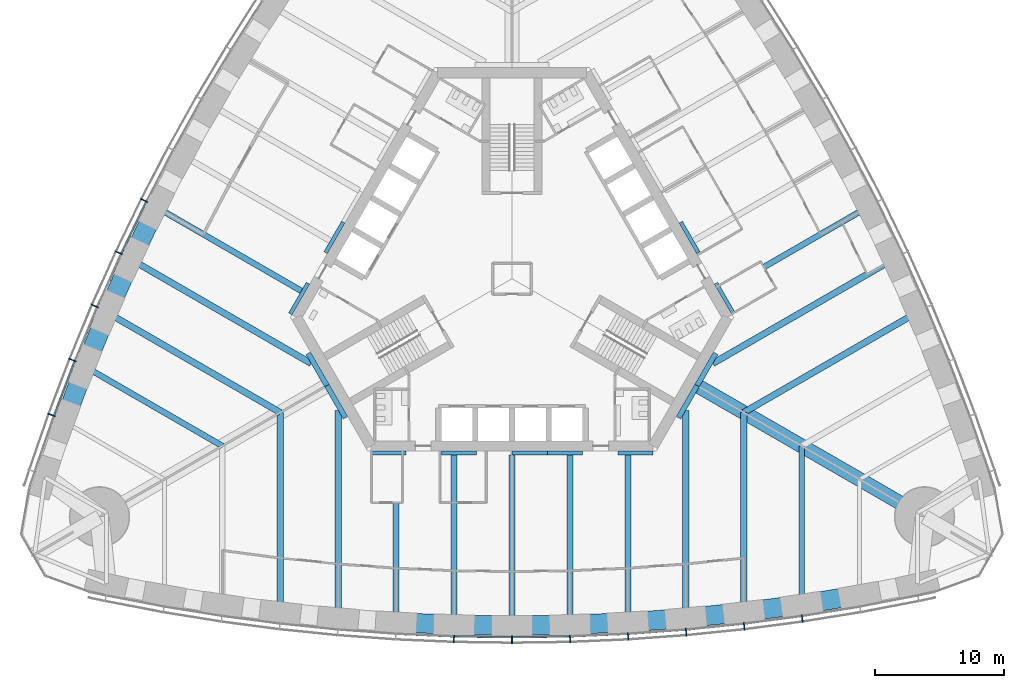
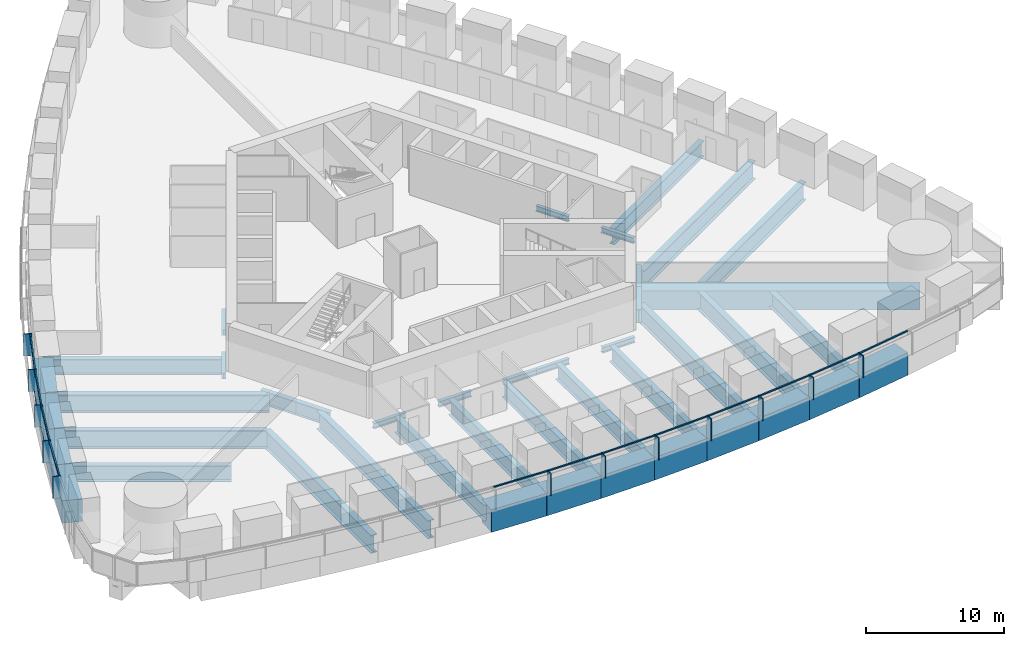
# One storey, part 3 of 18: 43 beams, 24 members, 2 elements without a shape of their own.
"""IFC4 building model written with IfcOpenShell, lengths in metres."""

from ifc_helpers import new_model, si_unit, direction, frame, origin, origin_2d, place, context, subcontext, project, spatial, rectangle, i_section, extrude, material, material_profile, profile_set, type_object, element, aggregate, save


model = new_model("IFC4")

# Units and contexts
model_context = context("Model", 3, precision=1e-05, world=origin(), true_north=direction((0.0, 1.0)))
body_context = subcontext(model_context, "Body", "Model", "MODEL_VIEW")
ifc_project = project(units=[si_unit("LENGTHUNIT", "METRE"), si_unit("AREAUNIT", "SQUARE_METRE"), si_unit("VOLUMEUNIT", "CUBIC_METRE"), si_unit("PLANEANGLEUNIT", "RADIAN"), si_unit("MASSUNIT", "GRAM", prefix="KILO")], contexts=[model_context])

# Site, building, storey
site_placement = place(None, origin())
site = spatial("IfcSite", under=ifc_project, at=site_placement, CompositionType="ELEMENT")
building_placement = place(site_placement, origin())
building = spatial("IfcBuilding", under=site, at=building_placement, Name="Trefoil Bronze Tower", CompositionType="ELEMENT")
storey_placement = place(building_placement, frame((0.0, 0.0, 87.89990234375)))
storey = spatial("IfcBuildingStorey", under=building, at=storey_placement, Name="L20", CompositionType="ELEMENT", Elevation=87.89990234375)

# Curtain wall, members
ifc_material_1 = material(Name="Tinted solar-control glass", Category="glass")
curtain_wall_type = type_object("IfcCurtainWallType", Name="Bronze office curtain wall", PredefinedType="USERDEFINED", material=ifc_material_1)
curtain_wall_1_placement = place(storey_placement, origin())
curtain_wall_1 = element("IfcCurtainWall", 1, at=curtain_wall_1_placement, inside=storey, type_object=curtain_wall_type, Name="CW-A L20 F1", ObjectType="CURTAIN WALL", PredefinedType="USERDEFINED")
ifc_material_2 = material(Name="Bronze-finish aluminium", Category="aluminium")
ifc_material_profile_1 = material_profile(ifc_material_2, rectangle(XDim=0.60009765625, YDim=0.080078125, at=origin_2d()), Name="CW-A mullion")
ifc_profile_set_1 = profile_set([ifc_material_profile_1], Name="Bronze-finish aluminium")
member_type_1 = type_object("IfcMemberType", Name="Bronze office curtain wall mullion", PredefinedType="MULLION", material=ifc_profile_set_1)
member_1_placement = place(storey_placement, frame((-4.5087890625, -27.9833984375, 0.0), z_axis=(0.0, 0.0, 1.0), x_axis=(0.029021671584, 0.999578782577, 0.0)))
member_1 = element("IfcMember", 2, at=member_1_placement, type_object=member_type_1, Name="CW-A L20 F1 mullion 8", PredefinedType="MULLION", context=body_context, shape_type="SweptSolid", body=[
    extrude(rectangle(XDim=0.60009765625, YDim=0.080078125, at=origin_2d()), origin(), (0.0, 0.0, 1.0), 1.9501953125),
])
member_2_placement = place(storey_placement, frame((0.0, -28.048828125, 0.0), z_axis=(0.0, 0.0, 1.0), x_axis=(0.0, 1.0, 0.0)))
member_2 = element("IfcMember", 3, at=member_2_placement, type_object=member_type_1, Name="CW-A L20 F1 mullion 9", PredefinedType="MULLION", context=body_context, shape_type="SweptSolid", body=[
    extrude(rectangle(XDim=0.60009765625, YDim=0.080078125, at=origin_2d()), origin(), (0.0, 0.0, 1.0), 1.9501953125),
])
member_3_placement = place(storey_placement, frame((4.5087890625, -27.9833984375, 0.0), z_axis=(0.0, 0.0, 1.0), x_axis=(-0.029021671584, 0.999578782577, 0.0)))
member_3 = element("IfcMember", 4, at=member_3_placement, type_object=member_type_1, Name="CW-A L20 F1 mullion 10", PredefinedType="MULLION", context=body_context, shape_type="SweptSolid", body=[
    extrude(rectangle(XDim=0.60009765625, YDim=0.080078125, at=origin_2d()), origin(), (0.0, 0.0, 1.0), 1.9501953125),
])
member_4_placement = place(storey_placement, frame((9.017333984375, -27.786865234375, 0.0), z_axis=(0.0, 0.0, 1.0), x_axis=(-0.058043374207, 0.998314062162, 0.0)))
member_4 = element("IfcMember", 5, at=member_4_placement, type_object=member_type_1, Name="CW-A L20 F1 mullion 11", PredefinedType="MULLION", context=body_context, shape_type="SweptSolid", body=[
    extrude(rectangle(XDim=0.60009765625, YDim=0.080078125, at=origin_2d()), origin(), (0.0, 0.0, 1.0), 1.9501953125),
])
member_5_placement = place(storey_placement, frame((13.526123046875, -27.458984375, 0.0), z_axis=(0.0, 0.0, 1.0), x_axis=(-0.087065139456, 0.996202620701, 0.0)))
member_5 = element("IfcMember", 6, at=member_5_placement, type_object=member_type_1, Name="CW-A L20 F1 mullion 12", PredefinedType="MULLION", context=body_context, shape_type="SweptSolid", body=[
    extrude(rectangle(XDim=0.60009765625, YDim=0.080078125, at=origin_2d()), origin(), (0.0, 0.0, 1.0), 1.9501953125),
])
member_6_placement = place(storey_placement, frame((18.034912109375, -26.99853515625, 0.0), z_axis=(0.0, 0.0, 1.0), x_axis=(-0.116086999973, 0.993239048989, 0.0)))
member_6 = element("IfcMember", 7, at=member_6_placement, type_object=member_type_1, Name="CW-A L20 F1 mullion 13", PredefinedType="MULLION", context=body_context, shape_type="SweptSolid", body=[
    extrude(rectangle(XDim=0.60009765625, YDim=0.080078125, at=origin_2d()), origin(), (0.0, 0.0, 1.0), 1.9501953125),
])
member_7_placement = place(storey_placement, frame((22.54345703125, -26.40478515625, 0.0), z_axis=(0.0, 0.0, 1.0), x_axis=(-0.145108990094, 0.989415676546, 0.0)))
member_7 = element("IfcMember", 8, at=member_7_placement, type_object=member_type_1, Name="CW-A L20 F1 mullion 14", PredefinedType="MULLION", context=body_context, shape_type="SweptSolid", body=[
    extrude(rectangle(XDim=0.60009765625, YDim=0.080078125, at=origin_2d()), origin(), (0.0, 0.0, 1.0), 1.9501953125),
])

curtain_wall_2_placement = place(storey_placement, origin())
curtain_wall_2 = element("IfcCurtainWall", 9, at=curtain_wall_2_placement, inside=storey, type_object=curtain_wall_type, Name="CW-A L20 F3", ObjectType="CURTAIN WALL", PredefinedType="USERDEFINED")
member_8_placement = place(storey_placement, frame((-28.57275390625, 6.084228515625, 0.0), z_axis=(0.0, 0.0, 1.0), x_axis=(0.893587025891, -0.448889994497, 0.0)))
member_8 = element("IfcMember", 10, at=member_8_placement, type_object=member_type_1, Name="CW-A L20 F3 mullion 11", PredefinedType="MULLION", context=body_context, shape_type="SweptSolid", body=[
    extrude(rectangle(XDim=0.60009765625, YDim=0.080078125, at=origin_2d()), origin(), (0.0, 0.0, 1.0), 1.9501953125),
])
member_9_placement = place(storey_placement, frame((-30.543212890625, 2.015380859375, 0.0), z_axis=(0.0, 0.0, 1.0), x_axis=(0.906269346572, -0.422700687798, 0.0)))
member_9 = element("IfcMember", 11, at=member_9_placement, type_object=member_type_1, Name="CW-A L20 F3 mullion 12", PredefinedType="MULLION", context=body_context, shape_type="SweptSolid", body=[
    extrude(rectangle(XDim=0.60009765625, YDim=0.080078125, at=origin_2d()), origin(), (0.0, 0.0, 1.0), 1.9501953125),
])
member_10_placement = place(storey_placement, frame((-32.39892578125, -2.119384765625, 0.0), z_axis=(0.0, 0.0, 1.0), x_axis=(0.918213748442, -0.396085233469, 0.0)))
member_10 = element("IfcMember", 12, at=member_10_placement, type_object=member_type_1, Name="CW-A L20 F3 mullion 13", PredefinedType="MULLION", context=body_context, shape_type="SweptSolid", body=[
    extrude(rectangle(XDim=0.60009765625, YDim=0.080078125, at=origin_2d()), origin(), (0.0, 0.0, 1.0), 1.9501953125),
])
member_11_placement = place(storey_placement, frame((-34.138916015625, -6.32080078125, 0.0), z_axis=(0.0, 0.0, 1.0), x_axis=(0.929413605838, -0.369039766534, 0.0)))
member_11 = element("IfcMember", 13, at=member_11_placement, type_object=member_type_1, Name="CW-A L20 F3 mullion 14", PredefinedType="MULLION", context=body_context, shape_type="SweptSolid", body=[
    extrude(rectangle(XDim=0.60009765625, YDim=0.080078125, at=origin_2d()), origin(), (0.0, 0.0, 1.0), 1.9501953125),
])
member_12_placement = place(storey_placement, frame((-35.761962890625, -10.590087890625, 0.0), z_axis=(0.0, 0.0, 1.0), x_axis=(0.939860248316, -0.341559238839, 0.0)))
member_12 = element("IfcMember", 14, at=member_12_placement, type_object=member_type_1, Name="CW-A L20 F3 mullion 15", PredefinedType="MULLION", context=body_context, shape_type="SweptSolid", body=[
    extrude(rectangle(XDim=0.60009765625, YDim=0.080078125, at=origin_2d()), origin(), (0.0, 0.0, 1.0), 1.9501953125),
])

# Member
ifc_material_3 = material(Name="Bronze-finish aluminium", Category="aluminium")
ifc_material_profile_2 = material_profile(ifc_material_3, rectangle(XDim=0.1201171875, YDim=0.10009765625, at=origin_2d()), Name="CW-A transom")
ifc_profile_set_2 = profile_set([ifc_material_profile_2], Name="Bronze-finish aluminium")
member_type_2 = type_object("IfcMemberType", Name="Bronze office curtain wall transom", PredefinedType="USERDEFINED", material=ifc_profile_set_2)
member_13_placement = place(storey_placement, frame((-8.96435546875, -27.589111328125, 1.900146484375), z_axis=(0.999054074786, -0.043485119914, 0.0), x_axis=(0.043485119914, 0.999054074786, 0.0)))
member_13 = element("IfcMember", 15, at=member_13_placement, type_object=member_type_2, Name="CW-A L20 F1 transom 7", ObjectType="TRANSOM", PredefinedType="USERDEFINED", context=body_context, shape_type="SweptSolid", body=[
    extrude(rectangle(XDim=0.1201171875, YDim=0.10009765625, at=origin_2d()), origin(), (0.0, 0.0, 1.0), 4.424072265625),
])

member_14_placement = place(storey_placement, frame((-4.46142578125, -27.783935546875, 1.900146484375), z_axis=(0.999894497273, -0.014525643658, 0.0), x_axis=(0.014525643658, 0.999894497273, 0.0)))
member_14 = element("IfcMember", 16, at=member_14_placement, type_object=member_type_2, Name="CW-A L20 F1 transom 8", ObjectType="TRANSOM", PredefinedType="USERDEFINED", context=body_context, shape_type="SweptSolid", body=[
    extrude(rectangle(XDim=0.1201171875, YDim=0.10009765625, at=origin_2d()), origin(), (0.0, 0.0, 1.0), 4.42041015625),
])

member_15_placement = place(storey_placement, frame((0.04150390625, -27.84814453125, 1.900146484375), z_axis=(0.999894497273, 0.014525643658, 0.0), x_axis=(-0.014525643658, 0.999894497273, 0.0)))
member_15 = element("IfcMember", 17, at=member_15_placement, type_object=member_type_2, Name="CW-A L20 F1 transom 9", ObjectType="TRANSOM", PredefinedType="USERDEFINED", context=body_context, shape_type="SweptSolid", body=[
    extrude(rectangle(XDim=0.1201171875, YDim=0.10009765625, at=origin_2d()), origin(), (0.0, 0.0, 1.0), 4.42041015625),
])

member_16_placement = place(storey_placement, frame((4.54443359375, -27.781494140625, 1.900146484375), z_axis=(0.999054074786, 0.043485119914, 0.0), x_axis=(-0.043485119914, 0.999054074786, 0.0)))
member_16 = element("IfcMember", 18, at=member_16_placement, type_object=member_type_2, Name="CW-A L20 F1 transom 10", ObjectType="TRANSOM", PredefinedType="USERDEFINED", context=body_context, shape_type="SweptSolid", body=[
    extrude(rectangle(XDim=0.1201171875, YDim=0.10009765625, at=origin_2d()), origin(), (0.0, 0.0, 1.0), 4.424072265625),
])

member_17_placement = place(storey_placement, frame((9.047119140625, -27.584228515625, 1.900146484375), z_axis=(0.997364729945, 0.07255064067, 0.0), x_axis=(-0.07255064067, 0.997364729945, 0.0)))
member_17 = element("IfcMember", 19, at=member_17_placement, type_object=member_type_2, Name="CW-A L20 F1 transom 11", ObjectType="TRANSOM", PredefinedType="USERDEFINED", context=body_context, shape_type="SweptSolid", body=[
    extrude(rectangle(XDim=0.1201171875, YDim=0.10009765625, at=origin_2d()), origin(), (0.0, 0.0, 1.0), 4.431884765625),
])

member_18_placement = place(storey_placement, frame((13.550048828125, -27.25537109375, 1.900146484375), z_axis=(0.994831650915, 0.101538102888, 0.0), x_axis=(-0.101538102888, 0.994831650915, 0.0)))
member_18 = element("IfcMember", 20, at=member_18_placement, type_object=member_type_2, Name="CW-A L20 F1 transom 12", ObjectType="TRANSOM", PredefinedType="USERDEFINED", context=body_context, shape_type="SweptSolid", body=[
    extrude(rectangle(XDim=0.1201171875, YDim=0.10009765625, at=origin_2d()), origin(), (0.0, 0.0, 1.0), 4.443359375),
])

member_19_placement = place(storey_placement, frame((18.052734375, -26.79443359375, 1.900146484375), z_axis=(0.991436581643, 0.13058906761, 0.0), x_axis=(-0.13058906761, 0.991436581643, 0.0)))
member_19 = element("IfcMember", 21, at=member_19_placement, type_object=member_type_2, Name="CW-A L20 F1 transom 13", ObjectType="TRANSOM", PredefinedType="USERDEFINED", context=body_context, shape_type="SweptSolid", body=[
    extrude(rectangle(XDim=0.1201171875, YDim=0.10009765625, at=origin_2d()), origin(), (0.0, 0.0, 1.0), 4.458740234375),
])

member_20_placement = place(storey_placement, frame((22.555419921875, -26.2001953125, 1.900146484375), z_axis=(0.987179401487, 0.159614627398, 0.0), x_axis=(-0.159614627398, 0.987179401487, 0.0)))
member_20 = element("IfcMember", 22, at=member_20_placement, type_object=member_type_2, Name="CW-A L20 F1 transom 14", ObjectType="TRANSOM", PredefinedType="USERDEFINED", context=body_context, shape_type="SweptSolid", body=[
    extrude(rectangle(XDim=0.1201171875, YDim=0.10009765625, at=origin_2d()), origin(), (0.0, 0.0, 1.0), 4.478515625),
])

aggregate(curtain_wall_1, [member_1, member_2, member_3, member_4, member_5, member_6, member_7, member_13, member_14, member_15, member_16, member_17, member_18, member_19, member_20])

member_21_placement = place(storey_placement, frame((-28.412109375, 5.95703125, 1.900146484375), z_axis=(-0.435851763293, -0.900018466719, 0.0), x_axis=(0.900018466719, -0.435851763293, 0.0)))
member_21 = element("IfcMember", 23, at=member_21_placement, type_object=member_type_2, Name="CW-A L20 F3 transom 11", ObjectType="TRANSOM", PredefinedType="USERDEFINED", context=body_context, shape_type="SweptSolid", body=[
    extrude(rectangle(XDim=0.1201171875, YDim=0.10009765625, at=origin_2d()), origin(), (0.0, 0.0, 1.0), 4.431884765625),
])

member_22_placement = place(storey_placement, frame((-30.37890625, 1.89306640625, 1.900146484375), z_axis=(-0.409459746452, -0.912328184392, 0.0), x_axis=(0.912328184392, -0.409459746452, 0.0)))
member_22 = element("IfcMember", 24, at=member_22_placement, type_object=member_type_2, Name="CW-A L20 F3 transom 12", ObjectType="TRANSOM", PredefinedType="USERDEFINED", context=body_context, shape_type="SweptSolid", body=[
    extrude(rectangle(XDim=0.1201171875, YDim=0.10009765625, at=origin_2d()), origin(), (0.0, 0.0, 1.0), 4.443359375),
])

member_23_placement = place(storey_placement, frame((-32.231201171875, -2.23681640625, 1.900146484375), z_axis=(-0.382616149417, -0.923907399151, 0.0), x_axis=(0.923907399151, -0.382616149417, 0.0)))
member_23 = element("IfcMember", 25, at=member_23_placement, type_object=member_type_2, Name="CW-A L20 F3 transom 13", ObjectType="TRANSOM", PredefinedType="USERDEFINED", context=body_context, shape_type="SweptSolid", body=[
    extrude(rectangle(XDim=0.1201171875, YDim=0.10009765625, at=origin_2d()), origin(), (0.0, 0.0, 1.0), 4.458984375),
])

member_24_placement = place(storey_placement, frame((-33.9677734375, -6.433349609375, 1.900146484375), z_axis=(-0.355367327392, -0.934726731522, 0.0), x_axis=(0.934726731522, -0.355367327392, 0.0)))
member_24 = element("IfcMember", 26, at=member_24_placement, type_object=member_type_2, Name="CW-A L20 F3 transom 14", ObjectType="TRANSOM", PredefinedType="USERDEFINED", context=body_context, shape_type="SweptSolid", body=[
    extrude(rectangle(XDim=0.1201171875, YDim=0.10009765625, at=origin_2d()), origin(), (0.0, 0.0, 1.0), 4.478515625),
])

aggregate(curtain_wall_2, [member_8, member_9, member_10, member_11, member_12, member_21, member_22, member_23, member_24])

# Beams
ifc_material_4 = material(Name="Steel C355", Category="steel")
ifc_material_profile_3 = material_profile(ifc_material_4, i_section(OverallWidth=0.300048828125, OverallDepth=0.5, WebThickness=0.014404296875, FlangeThickness=0.028076171875, FilletRadius=0.027099609375, at=origin_2d()), Name="HEB 500")
ifc_profile_set_3 = profile_set([ifc_material_profile_3], Name="Steel C355")
beam_type_1 = type_object("IfcBeamType", Name="Core seat beam HEB 500", PredefinedType="BEAM", material=ifc_profile_set_3)
for number, where, z_axis, x_axis, name in (
    (27, (-10.9697265625, -13.550048828125, -0.449951171875), (1.0, 0.0, 0.0), (0.0, 1.0, 0.0), "Core seat beam F1/-2 L20"),
    (28, (-5.48486328125, -13.550048828125, -0.449951171875), (1.0, 0.0, 0.0), (0.0, 1.0, 0.0), "Core seat beam F1/-1 L20"),
    (29, (0.0, -13.550048828125, -0.449951171875), (1.0, 0.0, 0.0), (0.0, 1.0, 0.0), "Core seat beam F1/+0 L20"),
    (30, (2.742431640625, -13.550048828125, -0.449951171875), (1.0, 0.0, 0.0), (0.0, 1.0, 0.0), "Core seat beam F1/+1 L20"),
    (31, (8.227294921875, -13.550048828125, -0.449951171875), (1.0, 0.0, 0.0), (0.0, 1.0, 0.0), "Core seat beam F1/+2 L20"),
    (32, (17.219482421875, -2.72509765625, -0.449951171875), (-0.500035825175, 0.866004719122, 0.0), (-0.866004719122, -0.500035825175, 0.0), "Core seat beam F2/-2 L20"),
    (33, (14.47705078125, 2.02490234375, -0.449951171875), (-0.499969057507, 0.866043267704, 0.0), (-0.866043267704, -0.499969057507, 0.0), "Core seat beam F2/-1 L20"),
    (34, (-13.10595703125, 4.39990234375, -0.449951171875), (-0.499969057507, -0.866043267704, 0.0), (0.866043267704, -0.499969057507, 0.0), "Core seat beam F3/+1 L20"),
    (35, (-15.84814453125, -0.35009765625, -0.449951171875), (-0.500035825175, -0.866004719122, 0.0), (0.866004719122, -0.500035825175, 0.0), "Core seat beam F3/+2 L20"),
):
    element("IfcBeam", number, at=place(storey_placement, frame(where, z_axis=z_axis, x_axis=x_axis)), inside=storey, type_object=beam_type_1, Name=name, PredefinedType="BEAM", context=body_context, shape_type="SweptSolid", body=[
        extrude(i_section(OverallWidth=0.300048828125, OverallDepth=0.5, WebThickness=0.014404296875, FlangeThickness=0.028076171875, FilletRadius=0.027099609375, at=origin_2d()), origin(), (0.0, 0.0, 1.0), 2.742431640625),
    ])
ifc_material_5 = material(Name="Steel C355", Category="steel")
ifc_material_profile_4 = material_profile(ifc_material_5, i_section(OverallWidth=0.39990234375, OverallDepth=1.199951171875, WebThickness=0.02001953125, FlangeThickness=0.0400390625, FilletRadius=0.010009765625, at=origin_2d()), Name="WPG 1200")
ifc_profile_set_4 = profile_set([ifc_material_profile_4], Name="Steel C355")
beam_type_2 = type_object("IfcBeamType", Name="Core seat beam WPG 1200", PredefinedType="BEAM", material=ifc_profile_set_4)
for number, where, z_axis, x_axis, name in (
    (36, (-14.3759765625, -8.300048828125, -0.7998046875), (0.499995765644, -0.866027848477, 0.0), (0.866027848477, 0.499995765644, 0.0), "Core seat beam F1/-3 L20"),
    (37, (12.9326171875, -10.800048828125, -0.7998046875), (0.499995765644, 0.866027848477, 0.0), (-0.866027848477, 0.499995765644, 0.0), "Core seat beam F1/+3 L20"),
    (38, (14.3759765625, -8.300048828125, -0.7998046875), (0.499995765644, 0.866027848477, 0.0), (-0.866027848477, 0.499995765644, 0.0), "Core seat beam F2/-3 L20"),
    (39, (-15.8193359375, -5.800048828125, -0.7998046875), (0.499995765644, -0.866027848477, 0.0), (0.866027848477, 0.499995765644, 0.0), "Core seat beam F3/+3 L20"),
):
    element("IfcBeam", number, at=place(storey_placement, frame(where, z_axis=z_axis, x_axis=x_axis)), inside=storey, type_object=beam_type_2, Name=name, PredefinedType="BEAM", context=body_context, shape_type="SweptSolid", body=[
        extrude(i_section(OverallWidth=0.39990234375, OverallDepth=1.199951171875, WebThickness=0.02001953125, FlangeThickness=0.0400390625, FilletRadius=0.010009765625, at=origin_2d()), origin(), (0.0, 0.0, 1.0), 2.88671875),
    ])
ifc_material_6 = material(Name="Concrete B80", Category="concrete")
ifc_material_profile_5 = material_profile(ifc_material_6, rectangle(XDim=1.10009765625, YDim=1.699951171875, at=origin_2d()), Name="RC 1100x1700")
ifc_profile_set_5 = profile_set([ifc_material_profile_5], Name="Concrete B80")
beam_type_3 = type_object("IfcBeamType", Name="Corner girder RC 1100x1700", PredefinedType="BEAM", material=ifc_profile_set_5)
beam_1_placement = place(storey_placement, frame((14.202880859375, -8.199951171875, -1.0498046875), z_axis=(0.866023947468, -0.500002522405, 0.0), x_axis=(0.500002522405, 0.866023947468, 0.0)))
element("IfcBeam", 40, at=beam_1_placement, inside=storey, type_object=beam_type_3, Name="Corner girder K1 L20", PredefinedType="BEAM", context=body_context, shape_type="SweptSolid", body=[
    extrude(rectangle(XDim=1.10009765625, YDim=1.699951171875, at=origin_2d()), origin(), (0.0, 0.0, 1.0), 20.60009765625),
])
ifc_material_7 = material(Name="Steel C355", Category="steel")
ifc_material_profile_6 = material_profile(ifc_material_7, i_section(OverallWidth=0.449951171875, OverallDepth=1.39990234375, WebThickness=0.02294921875, FlangeThickness=0.044921875, FilletRadius=0.011962890625, at=origin_2d()), Name="WPG 1400")
ifc_profile_set_6 = profile_set([ifc_material_profile_6], Name="Steel C355")
beam_type_4 = type_object("IfcBeamType", Name="Floor beam WPG 1400", PredefinedType="BEAM", material=ifc_profile_set_6)
beam_2_placement = place(storey_placement, frame((-9.0, -26.68603515625, -0.89990234375), z_axis=(0.0, 1.0, 0.0), x_axis=(-1.0, 0.0, 0.0)))
element("IfcBeam", 41, at=beam_2_placement, inside=storey, type_object=beam_type_4, Name="Floor beam F1/-2 L20", PredefinedType="BEAM", context=body_context, shape_type="SweptSolid", body=[
    extrude(i_section(OverallWidth=0.449951171875, OverallDepth=1.39990234375, WebThickness=0.02294921875, FlangeThickness=0.044921875, FilletRadius=0.011962890625, at=origin_2d()), origin(), (0.0, 0.0, 1.0), 12.986083984375),
])
beam_3_placement = place(storey_placement, frame((-4.5, -26.883056640625, -0.89990234375), z_axis=(0.0, 1.0, 0.0), x_axis=(-1.0, 0.0, 0.0)))
element("IfcBeam", 42, at=beam_3_placement, inside=storey, type_object=beam_type_4, Name="Floor beam F1/-1 L20", PredefinedType="BEAM", context=body_context, shape_type="SweptSolid", body=[
    extrude(i_section(OverallWidth=0.449951171875, OverallDepth=1.39990234375, WebThickness=0.02294921875, FlangeThickness=0.044921875, FilletRadius=0.011962890625, at=origin_2d()), origin(), (0.0, 0.0, 1.0), 13.18310546875),
])
beam_4_placement = place(storey_placement, frame((0.0, -26.94873046875, -0.89990234375), z_axis=(0.0, 1.0, 0.0), x_axis=(-1.0, 0.0, 0.0)))
element("IfcBeam", 43, at=beam_4_placement, inside=storey, type_object=beam_type_4, Name="Floor beam F1/+0 L20", PredefinedType="BEAM", context=body_context, shape_type="SweptSolid", body=[
    extrude(i_section(OverallWidth=0.449951171875, OverallDepth=1.39990234375, WebThickness=0.02294921875, FlangeThickness=0.044921875, FilletRadius=0.011962890625, at=origin_2d()), origin(), (0.0, 0.0, 1.0), 13.248779296875),
])
beam_5_placement = place(storey_placement, frame((4.5, -26.883056640625, -0.89990234375), z_axis=(0.0, 1.0, 0.0), x_axis=(-1.0, 0.0, 0.0)))
element("IfcBeam", 44, at=beam_5_placement, inside=storey, type_object=beam_type_4, Name="Floor beam F1/+1 L20", PredefinedType="BEAM", context=body_context, shape_type="SweptSolid", body=[
    extrude(i_section(OverallWidth=0.449951171875, OverallDepth=1.39990234375, WebThickness=0.02294921875, FlangeThickness=0.044921875, FilletRadius=0.011962890625, at=origin_2d()), origin(), (0.0, 0.0, 1.0), 13.18310546875),
])
beam_6_placement = place(storey_placement, frame((9.0, -26.68603515625, -0.89990234375), z_axis=(0.0, 1.0, 0.0), x_axis=(-1.0, 0.0, 0.0)))
element("IfcBeam", 45, at=beam_6_placement, inside=storey, type_object=beam_type_4, Name="Floor beam F1/+2 L20", PredefinedType="BEAM", context=body_context, shape_type="SweptSolid", body=[
    extrude(i_section(OverallWidth=0.449951171875, OverallDepth=1.39990234375, WebThickness=0.02294921875, FlangeThickness=0.044921875, FilletRadius=0.011962890625, at=origin_2d()), origin(), (0.0, 0.0, 1.0), 12.986083984375),
])
beam_7_placement = place(storey_placement, frame((22.5, -25.29931640625, -0.89990234375), z_axis=(0.0, 1.0, 0.0), x_axis=(-1.0, 0.0, 0.0)))
element("IfcBeam", 46, at=beam_7_placement, inside=storey, type_object=beam_type_4, Name="Floor beam F1/+5 L20", PredefinedType="BEAM", context=body_context, shape_type="SweptSolid", body=[
    extrude(i_section(OverallWidth=0.449951171875, OverallDepth=1.39990234375, WebThickness=0.02294921875, FlangeThickness=0.044921875, FilletRadius=0.011962890625, at=origin_2d()), origin(), (0.0, 0.0, 1.0), 12.308837890625),
])
for number, where, z_axis, x_axis, name in (
    (47, (27.61083984375, 5.548828125, -0.89990234375), (-0.866022474361, -0.500005073876, 0.0), (0.500005073876, -0.866022474361, 0.0), "Floor beam F2/-2 L20"),
    (48, (-27.61083984375, 5.548828125, -0.89990234375), (0.866022474361, -0.500005073876, 0.0), (0.500005073876, 0.866022474361, 0.0), "Floor beam F3/+2 L20"),
):
    element("IfcBeam", number, at=place(storey_placement, frame(where, z_axis=z_axis, x_axis=x_axis)), inside=storey, type_object=beam_type_4, Name=name, PredefinedType="BEAM", context=body_context, shape_type="SweptSolid", body=[
        extrude(i_section(OverallWidth=0.449951171875, OverallDepth=1.39990234375, WebThickness=0.02294921875, FlangeThickness=0.044921875, FilletRadius=0.011962890625, at=origin_2d()), origin(), (0.0, 0.0, 1.0), 12.986083984375),
    ])
beam_8_placement = place(storey_placement, frame((-33.159912109375, -6.8359375, -0.89990234375), z_axis=(0.866024070878, -0.500002308654, 0.0), x_axis=(0.500002308654, 0.866024070878, 0.0)))
element("IfcBeam", 49, at=beam_8_placement, inside=storey, type_object=beam_type_4, Name="Floor beam F3/+5 L20", PredefinedType="BEAM", context=body_context, shape_type="SweptSolid", body=[
    extrude(i_section(OverallWidth=0.449951171875, OverallDepth=1.39990234375, WebThickness=0.02294921875, FlangeThickness=0.044921875, FilletRadius=0.011962890625, at=origin_2d()), origin(), (0.0, 0.0, 1.0), 12.30908203125),
])
ifc_material_8 = material(Name="Steel C355", Category="steel")
ifc_material_profile_7 = material_profile(ifc_material_8, i_section(OverallWidth=0.5, OverallDepth=1.60009765625, WebThickness=0.02587890625, FlangeThickness=0.050048828125, FilletRadius=0.011962890625, at=origin_2d()), Name="WPG 1600")
ifc_profile_set_7 = profile_set([ifc_material_profile_7], Name="Steel C355")
beam_type_5 = type_object("IfcBeamType", Name="Floor beam WPG 1600", PredefinedType="BEAM", material=ifc_profile_set_7)
beam_9_placement = place(storey_placement, frame((-18.0, -25.895263671875, -1.0), z_axis=(0.0, 1.0, 0.0), x_axis=(-1.0, 0.0, 0.0)))
element("IfcBeam", 50, at=beam_9_placement, inside=storey, type_object=beam_type_5, Name="Floor beam F1/-4 L20", PredefinedType="BEAM", context=body_context, shape_type="SweptSolid", body=[
    extrude(i_section(OverallWidth=0.5, OverallDepth=1.60009765625, WebThickness=0.02587890625, FlangeThickness=0.050048828125, FilletRadius=0.011962890625, at=origin_2d()), origin(), (0.0, 0.0, 1.0), 15.5029296875),
])
for number, where, z_axis, x_axis, name in (
    (51, (-13.5, -26.35693359375, -1.0), (0.0, 1.0, 0.0), (-1.0, 0.0, 0.0), "Floor beam F1/-3 L20"),
    (52, (13.5, -26.35693359375, -1.0), (0.0, 1.0, 0.0), (-1.0, 0.0, 0.0), "Floor beam F1/+3 L20"),
):
    element("IfcBeam", number, at=place(storey_placement, frame(where, z_axis=z_axis, x_axis=x_axis)), inside=storey, type_object=beam_type_5, Name=name, PredefinedType="BEAM", context=body_context, shape_type="SweptSolid", body=[
        extrude(i_section(OverallWidth=0.5, OverallDepth=1.60009765625, WebThickness=0.02587890625, FlangeThickness=0.050048828125, FilletRadius=0.011962890625, at=origin_2d()), origin(), (0.0, 0.0, 1.0), 16.1396484375),
    ])
beam_10_placement = place(storey_placement, frame((18.0, -25.895263671875, -1.0), z_axis=(0.0, 1.0, 0.0), x_axis=(-1.0, 0.0, 0.0)))
element("IfcBeam", 53, at=beam_10_placement, inside=storey, type_object=beam_type_5, Name="Floor beam F1/+4 L20", PredefinedType="BEAM", context=body_context, shape_type="SweptSolid", body=[
    extrude(i_section(OverallWidth=0.5, OverallDepth=1.60009765625, WebThickness=0.02587890625, FlangeThickness=0.050048828125, FilletRadius=0.011962890625, at=origin_2d()), origin(), (0.0, 0.0, 1.0), 15.5029296875),
])
beam_11_placement = place(storey_placement, frame((31.42578125, -2.640869140625, -1.0), z_axis=(-0.866022989816, -0.500004181093, 0.0), x_axis=(0.500004181093, -0.866022989816, 0.0)))
element("IfcBeam", 54, at=beam_11_placement, inside=storey, type_object=beam_type_5, Name="Floor beam F2/-4 L20", PredefinedType="BEAM", context=body_context, shape_type="SweptSolid", body=[
    extrude(i_section(OverallWidth=0.5, OverallDepth=1.60009765625, WebThickness=0.02587890625, FlangeThickness=0.050048828125, FilletRadius=0.011962890625, at=origin_2d()), origin(), (0.0, 0.0, 1.0), 15.502685546875),
])
for number, where, z_axis, x_axis, name in (
    (55, (29.575927734375, 1.487060546875, -1.0), (-0.866028401131, -0.499994808408, 0.0), (0.499994808408, -0.866028401131, 0.0), "Floor beam F2/-3 L20"),
    (56, (-29.575927734375, 1.487060546875, -1.0), (0.866028401131, -0.499994808408, 0.0), (0.499994808408, 0.866028401131, 0.0), "Floor beam F3/+3 L20"),
):
    element("IfcBeam", number, at=place(storey_placement, frame(where, z_axis=z_axis, x_axis=x_axis)), inside=storey, type_object=beam_type_5, Name=name, PredefinedType="BEAM", context=body_context, shape_type="SweptSolid", body=[
        extrude(i_section(OverallWidth=0.5, OverallDepth=1.60009765625, WebThickness=0.02587890625, FlangeThickness=0.050048828125, FilletRadius=0.011962890625, at=origin_2d()), origin(), (0.0, 0.0, 1.0), 16.139892578125),
    ])
beam_12_placement = place(storey_placement, frame((-31.42578125, -2.640869140625, -1.0), z_axis=(0.866022989816, -0.500004181093, 0.0), x_axis=(0.500004181093, 0.866022989816, 0.0)))
element("IfcBeam", 57, at=beam_12_placement, inside=storey, type_object=beam_type_5, Name="Floor beam F3/+4 L20", PredefinedType="BEAM", context=body_context, shape_type="SweptSolid", body=[
    extrude(i_section(OverallWidth=0.5, OverallDepth=1.60009765625, WebThickness=0.02587890625, FlangeThickness=0.050048828125, FilletRadius=0.011962890625, at=origin_2d()), origin(), (0.0, 0.0, 1.0), 15.502685546875),
])
ifc_material_9 = material(Name="Concrete B80", Category="concrete")
ifc_material_profile_8 = material_profile(ifc_material_9, rectangle(XDim=1.5, YDim=2.0, at=origin_2d()), Name="RC 1500x2000")
ifc_profile_set_8 = profile_set([ifc_material_profile_8], Name="Concrete B80")
beam_type_6 = type_object("IfcBeamType", Name="Spandrel beam RC 1500x2000", PredefinedType="SPANDREL", material=ifc_profile_set_8)
beam_13_placement = place(storey_placement, frame((-9.0, -26.68603515625, -1.199951171875), z_axis=(0.999042919826, -0.043740648671, 0.0), x_axis=(0.043740648671, 0.999042919826, 0.0)))
element("IfcBeam", 58, at=beam_13_placement, inside=storey, type_object=beam_type_6, Name="Spandrel F1.7 L20", PredefinedType="SPANDREL", context=body_context, shape_type="SweptSolid", body=[
    extrude(rectangle(XDim=1.5, YDim=2.0, at=origin_2d()), origin(), (0.0, 0.0, 1.0), 4.50439453125),
])
for number, where, z_axis, x_axis, name in (
    (59, (-4.5, -26.883056640625, -1.199951171875), (0.999893521905, -0.014592630067, 0.0), (0.014592630067, 0.999893521905, 0.0), "Spandrel F1.8 L20"),
    (60, (0.0, -26.94873046875, -1.199951171875), (0.999893521905, 0.014592630067, 0.0), (-0.014592630067, 0.999893521905, 0.0), "Spandrel F1.9 L20"),
):
    element("IfcBeam", number, at=place(storey_placement, frame(where, z_axis=z_axis, x_axis=x_axis)), inside=storey, type_object=beam_type_6, Name=name, PredefinedType="SPANDREL", context=body_context, shape_type="SweptSolid", body=[
        extrude(rectangle(XDim=1.5, YDim=2.0, at=origin_2d()), origin(), (0.0, 0.0, 1.0), 4.50048828125),
    ])
beam_14_placement = place(storey_placement, frame((4.5, -26.883056640625, -1.199951171875), z_axis=(0.999042919826, 0.043740648671, 0.0), x_axis=(-0.043740648671, 0.999042919826, 0.0)))
element("IfcBeam", 61, at=beam_14_placement, inside=storey, type_object=beam_type_6, Name="Spandrel F1.10 L20", PredefinedType="SPANDREL", context=body_context, shape_type="SweptSolid", body=[
    extrude(rectangle(XDim=1.5, YDim=2.0, at=origin_2d()), origin(), (0.0, 0.0, 1.0), 4.50439453125),
])
beam_15_placement = place(storey_placement, frame((9.0, -26.68603515625, -1.199951171875), z_axis=(0.997336412354, 0.072938882588, 0.0), x_axis=(-0.072938882588, 0.997336412354, 0.0)))
element("IfcBeam", 62, at=beam_15_placement, inside=storey, type_object=beam_type_6, Name="Spandrel F1.11 L20", PredefinedType="SPANDREL", context=body_context, shape_type="SweptSolid", body=[
    extrude(rectangle(XDim=1.5, YDim=2.0, at=origin_2d()), origin(), (0.0, 0.0, 1.0), 4.511962890625),
])
beam_16_placement = place(storey_placement, frame((13.5, -26.35693359375, -1.199951171875), z_axis=(0.994778488621, 0.102057623805, 0.0), x_axis=(-0.102057623805, 0.994778488621, 0.0)))
element("IfcBeam", 63, at=beam_16_placement, inside=storey, type_object=beam_type_6, Name="Spandrel F1.12 L20", PredefinedType="SPANDREL", context=body_context, shape_type="SweptSolid", body=[
    extrude(rectangle(XDim=1.5, YDim=2.0, at=origin_2d()), origin(), (0.0, 0.0, 1.0), 4.523681640625),
])
beam_17_placement = place(storey_placement, frame((18.0, -25.895263671875, -1.199951171875), z_axis=(0.991344474846, 0.131286450906, 0.0), x_axis=(-0.131286450906, 0.991344474846, 0.0)))
element("IfcBeam", 64, at=beam_17_placement, inside=storey, type_object=beam_type_6, Name="Spandrel F1.13 L20", PredefinedType="SPANDREL", context=body_context, shape_type="SweptSolid", body=[
    extrude(rectangle(XDim=1.5, YDim=2.0, at=origin_2d()), origin(), (0.0, 0.0, 1.0), 4.539306640625),
])
beam_18_placement = place(storey_placement, frame((22.5, -25.29931640625, -1.199951171875), z_axis=(0.987045951254, 0.160437807615, 0.0), x_axis=(-0.160437807615, 0.987045951254, 0.0)))
element("IfcBeam", 65, at=beam_18_placement, inside=storey, type_object=beam_type_6, Name="Spandrel F1.14 L20", PredefinedType="SPANDREL", context=body_context, shape_type="SweptSolid", body=[
    extrude(rectangle(XDim=1.5, YDim=2.0, at=origin_2d()), origin(), (0.0, 0.0, 1.0), 4.55908203125),
])
beam_19_placement = place(storey_placement, frame((-27.61083984375, 5.548828125, -1.199951171875), z_axis=(-0.435510013583, -0.900183885697, 0.0), x_axis=(0.900183885697, -0.435510013583, 0.0)))
element("IfcBeam", 66, at=beam_19_placement, inside=storey, type_object=beam_type_6, Name="Spandrel F3.11 L20", PredefinedType="SPANDREL", context=body_context, shape_type="SweptSolid", body=[
    extrude(rectangle(XDim=1.5, YDim=2.0, at=origin_2d()), origin(), (0.0, 0.0, 1.0), 4.51220703125),
])
beam_20_placement = place(storey_placement, frame((-29.575927734375, 1.487060546875, -1.199951171875), z_axis=(-0.408945873044, -0.912558640812, 0.0), x_axis=(0.912558640812, -0.408945873044, 0.0)))
element("IfcBeam", 67, at=beam_20_placement, inside=storey, type_object=beam_type_6, Name="Spandrel F3.12 L20", PredefinedType="SPANDREL", context=body_context, shape_type="SweptSolid", body=[
    extrude(rectangle(XDim=1.5, YDim=2.0, at=origin_2d()), origin(), (0.0, 0.0, 1.0), 4.5234375),
])
beam_21_placement = place(storey_placement, frame((-31.42578125, -2.640869140625, -1.199951171875), z_axis=(-0.382020825144, -0.924153715113, 0.0), x_axis=(0.924153715113, -0.382020825144, 0.0)))
element("IfcBeam", 68, at=beam_21_placement, inside=storey, type_object=beam_type_6, Name="Spandrel F3.13 L20", PredefinedType="SPANDREL", context=body_context, shape_type="SweptSolid", body=[
    extrude(rectangle(XDim=1.5, YDim=2.0, at=origin_2d()), origin(), (0.0, 0.0, 1.0), 4.539306640625),
])
beam_22_placement = place(storey_placement, frame((-33.159912109375, -6.8359375, -1.199951171875), z_axis=(-0.354571899767, -0.935028752443, 0.0), x_axis=(0.935028752443, -0.354571899767, 0.0)))
element("IfcBeam", 69, at=beam_22_placement, inside=storey, type_object=beam_type_6, Name="Spandrel F3.14 L20", PredefinedType="SPANDREL", context=body_context, shape_type="SweptSolid", body=[
    extrude(rectangle(XDim=1.5, YDim=2.0, at=origin_2d()), origin(), (0.0, 0.0, 1.0), 4.558837890625),
])

save(model, "model.ifc")
